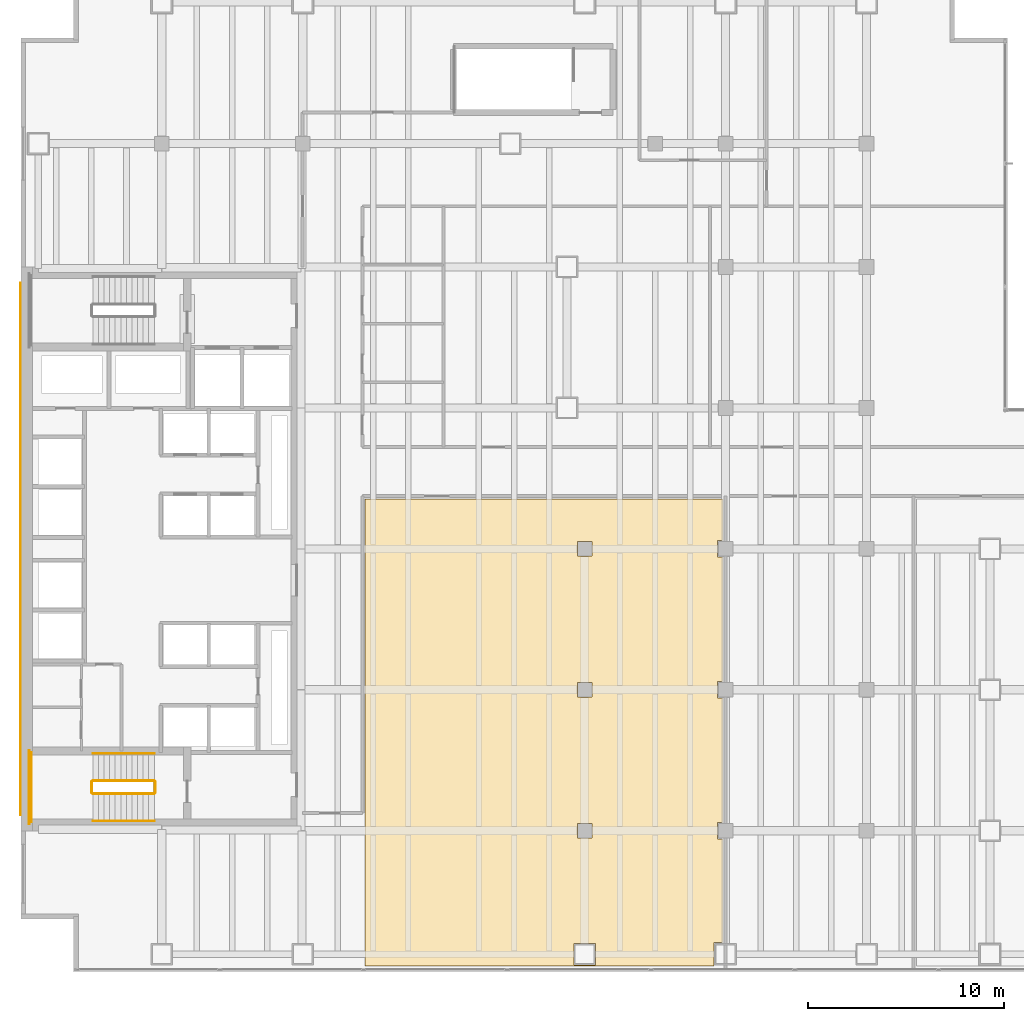
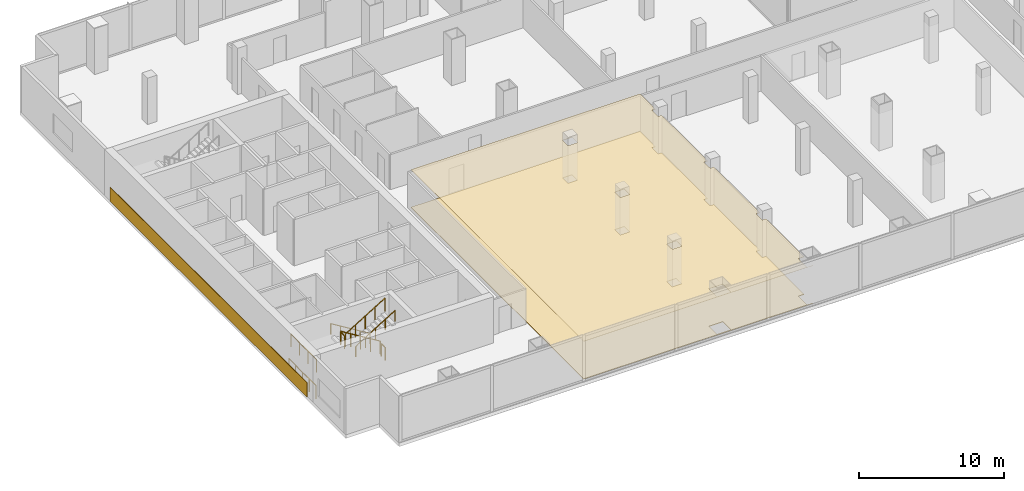
# One storey, part 28 of 32: 8 railings, 3 coverings.
"""IFC4 building model written with IfcOpenShell, lengths in metres."""

from ifc_helpers import new_model, si_unit, direction, frame, origin, origin_2d, place, context, subcontext, project, spatial, polyline, circle, outline, extrude, material, layer, layer_set, type_object, element, save


model = new_model("IFC4")

# Units and contexts
model_context = context("Model", 3, precision=1e-05, world=origin(), true_north=direction((0.0, 1.0)))
body_context = subcontext(model_context, "Body", "Model", "MODEL_VIEW")
ifc_project = project(units=[si_unit("LENGTHUNIT", "METRE"), si_unit("AREAUNIT", "SQUARE_METRE"), si_unit("VOLUMEUNIT", "CUBIC_METRE"), si_unit("PLANEANGLEUNIT", "RADIAN"), si_unit("MASSUNIT", "GRAM", prefix="KILO")], contexts=[model_context])

# Site, building, storey
site_placement = place(None, origin())
site = spatial("IfcSite", under=ifc_project, at=site_placement, CompositionType="ELEMENT")
building_placement = place(site_placement, origin())
building = spatial("IfcBuilding", under=site, at=building_placement, Name="Cobrela Telecom Tower", CompositionType="ELEMENT")
storey_placement = place(building_placement, frame((0.0, 0.0, 22.050048828125)))
storey = spatial("IfcBuildingStorey", under=building, at=storey_placement, Name="L05", CompositionType="ELEMENT", Elevation=22.050048828125)

# Coverings
ifc_material_1 = material(Name="Mineral Fibre Acoustic Ceiling Tile")
ifc_layer_1 = layer(ifc_material_1, 0.02490234375)
ifc_layer_set_1 = layer_set([ifc_layer_1], Name="Mineral Fibre Acoustic Ceiling Tile")
covering_type_1 = type_object("IfcCoveringType", Name="COV-CEIL-ACT", PredefinedType="CEILING", material=ifc_layer_set_1)
covering_1_placement = place(storey_placement, frame((0.0, 0.0, 3.179931640625)))
element("IfcCovering", 1, at=covering_1_placement, inside=storey, type_object=covering_type_1, Name="L05 Staff Fitness Gym Suspended Acoustic Ceiling", PredefinedType="CEILING", context=body_context, shape_type="SweptSolid", body=[
    extrude(outline(polyline([(35.860107421875, 22.02490234375), (35.574951171875, 22.02490234375), (35.574951171875, 21.175048828125), (35.860107421875, 21.175048828125), (35.860107421875, 14.824951171875), (35.574951171875, 14.824951171875), (35.574951171875, 13.97509765625), (35.860107421875, 13.97509765625), (35.860107421875, 7.625), (35.574951171875, 7.625), (35.574951171875, 6.77490234375), (35.860107421875, 6.77490234375), (35.860107421875, 1.5), (35.39990234375, 1.5), (35.39990234375, 0.300048828125), (35.860107421875, 0.300048828125), (35.860107421875, 0.2900390625), (17.590087890625, 0.2900390625), (17.590087890625, 24.159912109375), (35.860107421875, 24.159912109375), (35.860107421875, 22.02490234375)]), holes=[polyline([(29.35009765625, 0.35009765625), (29.35009765625, 1.449951171875), (28.25, 1.449951171875), (28.25, 0.35009765625), (29.35009765625, 0.35009765625)]), polyline([(28.425048828125, 6.824951171875), (29.175048828125, 6.824951171875), (29.175048828125, 7.574951171875), (28.425048828125, 7.574951171875), (28.425048828125, 6.824951171875)]), polyline([(29.175048828125, 14.02490234375), (29.175048828125, 14.77490234375), (28.425048828125, 14.77490234375), (28.425048828125, 14.02490234375), (29.175048828125, 14.02490234375)]), polyline([(28.425048828125, 21.22509765625), (29.175048828125, 21.22509765625), (29.175048828125, 21.97509765625), (28.425048828125, 21.97509765625), (28.425048828125, 21.22509765625)])]), origin(), (0.0, 0.0, 1.0), 0.02490234375),
])
ifc_material_2 = material(Name="Bogota Terracotta Architectural Stone", Category="masonry")
ifc_layer_2 = layer(ifc_material_2, 0.0400390625)
ifc_layer_set_2 = layer_set([ifc_layer_2], Name="Bogota Terracotta Architectural Stone")
covering_type_2 = type_object("IfcCoveringType", Name="COV-CLAD-TERRA", PredefinedType="CLADDING", material=ifc_layer_set_2)
covering_2_placement = place(storey_placement, origin())
element("IfcCovering", 2, at=covering_2_placement, inside=storey, type_object=covering_type_2, Name="L05 West Core Terracotta Spandrel Cladding Band", PredefinedType="CLADDING", context=body_context, shape_type="SweptSolid", body=[
    extrude(outline(polyline([(-0.0400390625, 8.0), (0.0, 8.0), (0.0, 35.199951171875), (-0.0400390625, 35.199951171875), (-0.0400390625, 8.0)])), origin(), (0.0, 0.0, 1.0), 1.199951171875),
])
ifc_material_3 = material(Name="Honed Colombian Basalt Stone", Category="masonry")
ifc_layer_3 = layer(ifc_material_3, 0.0400390625)
ifc_layer_set_3 = layer_set([ifc_layer_3], Name="Honed Colombian Basalt Stone")
covering_type_3 = type_object("IfcCoveringType", Name="COV-FLR-STONE", PredefinedType="FLOORING", material=ifc_layer_set_3)
covering_3_placement = place(storey_placement, origin())
element("IfcCovering", 3, at=covering_3_placement, inside=storey, type_object=covering_type_3, Name="L05 Staff Fitness Gym Raised Technical Flooring", PredefinedType="FLOORING", context=body_context, shape_type="SweptSolid", body=[
    extrude(outline(polyline([(35.860107421875, 22.02490234375), (35.574951171875, 22.02490234375), (35.574951171875, 21.175048828125), (35.860107421875, 21.175048828125), (35.860107421875, 14.824951171875), (35.574951171875, 14.824951171875), (35.574951171875, 13.97509765625), (35.860107421875, 13.97509765625), (35.860107421875, 7.625), (35.574951171875, 7.625), (35.574951171875, 6.77490234375), (35.860107421875, 6.77490234375), (35.860107421875, 1.5), (35.39990234375, 1.5), (35.39990234375, 0.300048828125), (35.860107421875, 0.300048828125), (35.860107421875, 0.2900390625), (17.590087890625, 0.2900390625), (17.590087890625, 24.159912109375), (35.860107421875, 24.159912109375), (35.860107421875, 22.02490234375)]), holes=[polyline([(29.35009765625, 0.35009765625), (29.35009765625, 1.449951171875), (28.25, 1.449951171875), (28.25, 0.35009765625), (29.35009765625, 0.35009765625)]), polyline([(28.425048828125, 6.824951171875), (29.175048828125, 6.824951171875), (29.175048828125, 7.574951171875), (28.425048828125, 7.574951171875), (28.425048828125, 6.824951171875)]), polyline([(29.175048828125, 14.02490234375), (29.175048828125, 14.77490234375), (28.425048828125, 14.77490234375), (28.425048828125, 14.02490234375), (29.175048828125, 14.02490234375)]), polyline([(28.425048828125, 21.22509765625), (29.175048828125, 21.22509765625), (29.175048828125, 21.97509765625), (28.425048828125, 21.97509765625), (28.425048828125, 21.22509765625)])]), origin(), (0.0, 0.0, 1.0), 0.0400390625),
])

# Railings
ifc_material_4 = material(Name="Steel ASTM A36", Category="steel")
railing_type_1 = type_object("IfcRailingType", Name="RAIL-GUARD-1100", PredefinedType="GUARDRAIL", material=ifc_material_4)
railing_1_placement = place(storey_placement, frame((6.820068359375, 9.75, 0.175048828125)))
element("IfcRailing", 4, at=railing_1_placement, inside=storey, type_object=railing_type_1, Name="L05 ST2 stair guard 1", PredefinedType="GUARDRAIL", context=body_context, shape_type="SweptSolid", body=[
    extrude(circle(Radius=0.02392578125, at=origin_2d()), frame((0.0, 0.0, 1.076171875), z_axis=(-0.852195625947, 0.0, 0.523223293744), x_axis=(0.0, -1.0, 0.0)), (0.0, 0.0, 1.0), 3.6787109375),
    extrude(circle(Radius=0.02099609375, at=origin_2d()), origin(), (0.0, 0.0, 1.0), 1.052001953125),
    extrude(circle(Radius=0.02099609375, at=origin_2d()), frame((-0.78369140625, 0.0, 0.481201171875)), (0.0, 0.0, 1.0), 1.052001953125),
    extrude(circle(Radius=0.02099609375, at=origin_2d()), frame((-1.5673828125, 0.0, 0.96240234375)), (0.0, 0.0, 1.0), 1.052001953125),
    extrude(circle(Radius=0.02099609375, at=origin_2d()), frame((-2.351318359375, 0.0, 1.443603515625)), (0.0, 0.0, 1.0), 1.052001953125),
    extrude(circle(Radius=0.02099609375, at=origin_2d()), frame((-3.135009765625, 0.0, 1.9248046875)), (0.0, 0.0, 1.0), 1.052001953125),
])
railing_2_placement = place(storey_placement, frame((3.635009765625, 9.699951171875, 2.099853515625)))
element("IfcRailing", 5, at=railing_2_placement, inside=storey, type_object=railing_type_1, Name="L05 ST2 stair guard 2", PredefinedType="GUARDRAIL", context=body_context, shape_type="SweptSolid", body=[
    extrude(circle(Radius=0.02392578125, at=origin_2d()), frame((0.0, 0.0, 1.076171875), z_axis=(0.0, -1.0, 0.0), x_axis=(1.0, 0.0, 0.0)), (0.0, 0.0, 1.0), 0.550048828125),
    extrude(circle(Radius=0.02099609375, at=origin_2d()), origin(), (0.0, 0.0, 1.0), 1.052001953125),
    extrude(circle(Radius=0.02099609375, at=origin_2d()), frame((0.0, -0.550048828125, 0.0)), (0.0, 0.0, 1.0), 1.052001953125),
])
railing_3_placement = place(storey_placement, frame((0.530029296875, 11.199951171875, 2.099853515625)))
element("IfcRailing", 6, at=railing_3_placement, inside=storey, type_object=railing_type_1, Name="L05 ST2 stair guard 3", PredefinedType="GUARDRAIL", context=body_context, shape_type="SweptSolid", body=[
    extrude(circle(Radius=0.02392578125, at=origin_2d()), frame((0.0, 0.0, 1.076171875), z_axis=(0.0, -1.0, 0.0), x_axis=(1.0, 0.0, 0.0)), (0.0, 0.0, 1.0), 3.550048828125),
    extrude(circle(Radius=0.02099609375, at=origin_2d()), origin(), (0.0, 0.0, 1.0), 1.052001953125),
    extrude(circle(Radius=0.02099609375, at=origin_2d()), frame((0.0, -1.183349609375, 0.0)), (0.0, 0.0, 1.0), 1.052001953125),
    extrude(circle(Radius=0.02099609375, at=origin_2d()), frame((0.0, -2.36669921875, 0.0)), (0.0, 0.0, 1.0), 1.052001953125),
    extrude(circle(Radius=0.02099609375, at=origin_2d()), frame((0.0, -3.550048828125, 0.0)), (0.0, 0.0, 1.0), 1.052001953125),
])
railing_4_placement = place(storey_placement, frame((3.68505859375, 9.10009765625, 2.27490234375)))
element("IfcRailing", 7, at=railing_4_placement, inside=storey, type_object=railing_type_1, Name="L05 ST2 stair guard 4", PredefinedType="GUARDRAIL", context=body_context, shape_type="SweptSolid", body=[
    extrude(circle(Radius=0.02392578125, at=origin_2d()), frame((0.0, 0.0, 1.076171875), z_axis=(0.852166034122, 0.0, 0.523271488128), x_axis=(0.0, 1.0, 0.0)), (0.0, 0.0, 1.0), 3.678955078125),
    extrude(circle(Radius=0.02099609375, at=origin_2d()), origin(), (0.0, 0.0, 1.0), 1.052001953125),
    extrude(circle(Radius=0.02099609375, at=origin_2d()), frame((0.78369140625, 0.0, 0.481201171875)), (0.0, 0.0, 1.0), 1.052001953125),
    extrude(circle(Radius=0.02099609375, at=origin_2d()), frame((1.5673828125, 0.0, 0.96240234375)), (0.0, 0.0, 1.0), 1.052001953125),
    extrude(circle(Radius=0.02099609375, at=origin_2d()), frame((2.351318359375, 0.0, 1.44384765625)), (0.0, 0.0, 1.0), 1.052001953125),
    extrude(circle(Radius=0.02099609375, at=origin_2d()), frame((3.135009765625, 0.0, 1.925048828125)), (0.0, 0.0, 1.0), 1.052001953125),
])
railing_5_placement = place(storey_placement, frame((6.8701171875, 9.699951171875, 0.0)))
element("IfcRailing", 8, at=railing_5_placement, inside=storey, type_object=railing_type_1, Name="L05 ST2 stair guard 5", PredefinedType="GUARDRAIL", context=body_context, shape_type="SweptSolid", body=[
    extrude(circle(Radius=0.02392578125, at=origin_2d()), frame((0.0, 0.0, 1.076171875), z_axis=(0.0, -1.0, 0.0), x_axis=(1.0, 0.0, 0.0)), (0.0, 0.0, 1.0), 0.550048828125),
    extrude(circle(Radius=0.02099609375, at=origin_2d()), origin(), (0.0, 0.0, 1.0), 1.052001953125),
    extrude(circle(Radius=0.02099609375, at=origin_2d()), frame((0.0, -0.550048828125, 0.0)), (0.0, 0.0, 1.0), 1.052001953125),
])
railing_6_placement = place(storey_placement, frame((0.429931640625, 11.300048828125, 0.0)))
element("IfcRailing", 9, at=railing_6_placement, inside=storey, type_object=railing_type_1, Name="L05 ST2 stair guard 6", PredefinedType="GUARDRAIL", context=body_context, shape_type="SweptSolid", body=[
    extrude(circle(Radius=0.02392578125, at=origin_2d()), frame((0.0, 0.0, 1.076171875), z_axis=(0.0, -1.0, 0.0), x_axis=(1.0, 0.0, 0.0)), (0.0, 0.0, 1.0), 3.75),
    extrude(circle(Radius=0.02099609375, at=origin_2d()), origin(), (0.0, 0.0, 1.0), 1.052001953125),
    extrude(circle(Radius=0.02099609375, at=origin_2d()), frame((0.0, -0.9375, 0.0)), (0.0, 0.0, 1.0), 1.052001953125),
    extrude(circle(Radius=0.02099609375, at=origin_2d()), frame((0.0, -1.875, 0.0)), (0.0, 0.0, 1.0), 1.052001953125),
    extrude(circle(Radius=0.02099609375, at=origin_2d()), frame((0.0, -2.8125, 0.0)), (0.0, 0.0, 1.0), 1.052001953125),
    extrude(circle(Radius=0.02099609375, at=origin_2d()), frame((0.0, -3.75, 0.0)), (0.0, 0.0, 1.0), 1.052001953125),
])
railing_type_2 = type_object("IfcRailingType", Name="RAIL-HAND-920", PredefinedType="HANDRAIL", material=ifc_material_4)
railing_7_placement = place(storey_placement, frame((6.820068359375, 11.14990234375, 0.175048828125)))
element("IfcRailing", 10, at=railing_7_placement, inside=storey, type_object=railing_type_2, Name="L05 ST2 stair handrail 1", PredefinedType="HANDRAIL", context=body_context, shape_type="SweptSolid", body=[
    extrude(circle(Radius=0.02392578125, at=origin_2d()), frame((0.0, 0.0, 0.8759765625), z_axis=(-0.852195625947, 0.0, 0.523223293744), x_axis=(0.0, -1.0, 0.0)), (0.0, 0.0, 1.0), 3.6787109375),
    extrude(circle(Radius=0.02099609375, at=origin_2d()), origin(), (0.0, 0.0, 1.0), 0.851806640625),
    extrude(circle(Radius=0.02099609375, at=origin_2d()), frame((-0.78369140625, 0.0, 0.481201171875)), (0.0, 0.0, 1.0), 0.851806640625),
    extrude(circle(Radius=0.02099609375, at=origin_2d()), frame((-1.5673828125, 0.0, 0.96240234375)), (0.0, 0.0, 1.0), 0.851806640625),
    extrude(circle(Radius=0.02099609375, at=origin_2d()), frame((-2.351318359375, 0.0, 1.443603515625)), (0.0, 0.0, 1.0), 0.851806640625),
    extrude(circle(Radius=0.02099609375, at=origin_2d()), frame((-3.135009765625, 0.0, 1.9248046875)), (0.0, 0.0, 1.0), 0.851806640625),
])
railing_8_placement = place(storey_placement, frame((3.68505859375, 7.699951171875, 2.27490234375)))
element("IfcRailing", 11, at=railing_8_placement, inside=storey, type_object=railing_type_2, Name="L05 ST2 stair handrail 2", PredefinedType="HANDRAIL", context=body_context, shape_type="SweptSolid", body=[
    extrude(circle(Radius=0.02392578125, at=origin_2d()), frame((0.0, 0.0, 0.8759765625), z_axis=(0.852166034122, 0.0, 0.523271488128), x_axis=(0.0, 1.0, 0.0)), (0.0, 0.0, 1.0), 3.678955078125),
    extrude(circle(Radius=0.02099609375, at=origin_2d()), origin(), (0.0, 0.0, 1.0), 0.851806640625),
    extrude(circle(Radius=0.02099609375, at=origin_2d()), frame((0.78369140625, 0.0, 0.481201171875)), (0.0, 0.0, 1.0), 0.851806640625),
    extrude(circle(Radius=0.02099609375, at=origin_2d()), frame((1.5673828125, 0.0, 0.96240234375)), (0.0, 0.0, 1.0), 0.851806640625),
    extrude(circle(Radius=0.02099609375, at=origin_2d()), frame((2.351318359375, 0.0, 1.44384765625)), (0.0, 0.0, 1.0), 0.851806640625),
    extrude(circle(Radius=0.02099609375, at=origin_2d()), frame((3.135009765625, 0.0, 1.925048828125)), (0.0, 0.0, 1.0), 0.851806640625),
])

save(model, "model.ifc")
